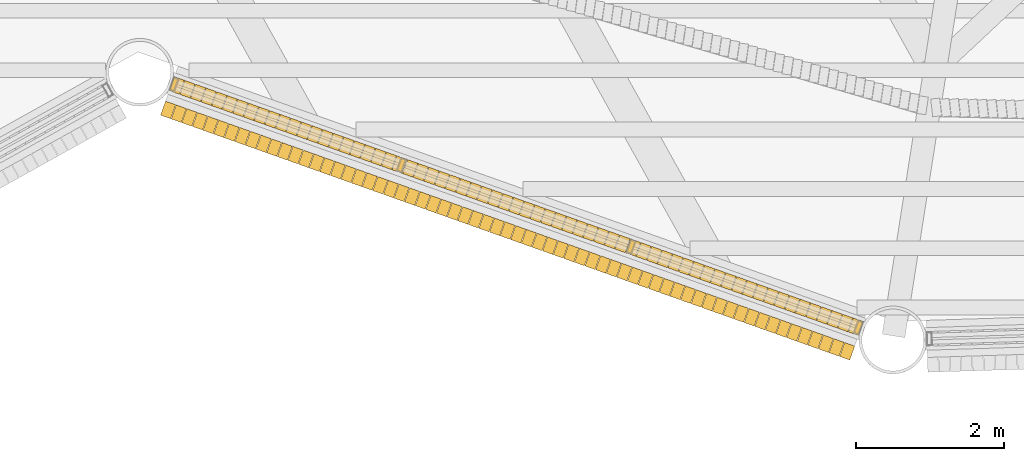
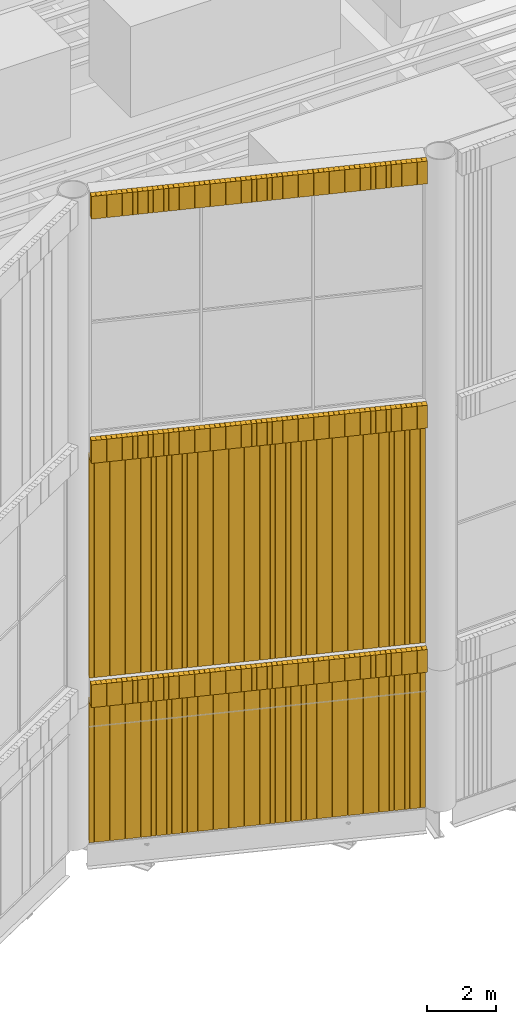
# One storey, part 94 of 117: 5 coverings.
"""IFC4 building model written with IfcOpenShell, lengths in metres."""

from ifc_helpers import new_model, si_unit, direction, frame, frame_2d, origin, place, context, subcontext, project, spatial, rectangle, composite_profile, extrude, material, type_object, element, save


model = new_model("IFC4")

# Units and contexts
model_context = context("Model", 3, precision=1e-05, world=origin(), true_north=direction((0.0, 1.0)))
body_context = subcontext(model_context, "Body", "Model", "MODEL_VIEW")
ifc_project = project(units=[si_unit("LENGTHUNIT", "METRE"), si_unit("AREAUNIT", "SQUARE_METRE"), si_unit("VOLUMEUNIT", "CUBIC_METRE"), si_unit("PLANEANGLEUNIT", "RADIAN"), si_unit("MASSUNIT", "GRAM", prefix="KILO")], contexts=[model_context])

# Site, building, storey
site_placement = place(None, origin())
site = spatial("IfcSite", under=ifc_project, at=site_placement, CompositionType="ELEMENT")
building_placement = place(site_placement, origin())
building = spatial("IfcBuilding", under=site, at=building_placement, Name="Tarsis Ring Headquarters", CompositionType="ELEMENT")
storey_placement = place(building_placement, frame((0.0, 0.0, 403.60009765625)))
storey = spatial("IfcBuildingStorey", under=building, at=storey_placement, Name="L95", CompositionType="ELEMENT", Elevation=403.60009765625)

# Coverings
ifc_material = material(Name="Terracotta louvre", Category="masonry")
covering_type = type_object("IfcCoveringType", Name="Crown louvre fin", PredefinedType="CLADDING", material=ifc_material)
covering_1_placement = place(storey_placement, frame((-14.203369140625, -25.24609375, 0.0), z_axis=(0.0, 0.0, 1.0), x_axis=(0.942245777404, -0.334885333598, 0.0)))
element("IfcCovering", 1, at=covering_1_placement, inside=storey, type_object=covering_type, Name="Crown louvre base 20", PredefinedType="CLADDING", context=body_context, shape_type="SweptSolid", body=[
    extrude(composite_profile([rectangle(XDim=0.14501953125, YDim=0.199951171875, at=frame_2d((0.072509765625, 0.0))), rectangle(XDim=0.14501953125, YDim=0.199951171875, at=frame_2d((0.224365234375, 0.0))), rectangle(XDim=0.14501953125, YDim=0.199951171875, at=frame_2d((0.3759765625, 0.0))), rectangle(XDim=0.14501953125, YDim=0.199951171875, at=frame_2d((0.52783203125, 0.0))), rectangle(XDim=0.14501953125, YDim=0.199951171875, at=frame_2d((0.679443359375, 0.0))), rectangle(XDim=0.14501953125, YDim=0.199951171875, at=frame_2d((0.831298828125, 0.0))), rectangle(XDim=0.14501953125, YDim=0.199951171875, at=frame_2d((0.983154296875, 0.0))), rectangle(XDim=0.14501953125, YDim=0.199951171875, at=frame_2d((1.134765625, 0.0))), rectangle(XDim=0.14501953125, YDim=0.199951171875, at=frame_2d((1.28662109375, 0.0))), rectangle(XDim=0.14501953125, YDim=0.199951171875, at=frame_2d((1.438232421875, 0.0))), rectangle(XDim=0.14501953125, YDim=0.199951171875, at=frame_2d((1.590087890625, 0.0))), rectangle(XDim=0.14501953125, YDim=0.199951171875, at=frame_2d((1.741943359375, 0.0))), rectangle(XDim=0.14501953125, YDim=0.199951171875, at=frame_2d((1.8935546875, 0.0))), rectangle(XDim=0.14501953125, YDim=0.199951171875, at=frame_2d((2.04541015625, 0.0))), rectangle(XDim=0.14501953125, YDim=0.199951171875, at=frame_2d((2.197265625, 0.0))), rectangle(XDim=0.14501953125, YDim=0.199951171875, at=frame_2d((2.348876953125, 0.0))), rectangle(XDim=0.14501953125, YDim=0.199951171875, at=frame_2d((2.500732421875, 0.0))), rectangle(XDim=0.14501953125, YDim=0.199951171875, at=frame_2d((2.65234375, 0.0))), rectangle(XDim=0.14501953125, YDim=0.199951171875, at=frame_2d((2.80419921875, 0.0))), rectangle(XDim=0.14501953125, YDim=0.199951171875, at=frame_2d((2.9560546875, 0.0))), rectangle(XDim=0.14501953125, YDim=0.199951171875, at=frame_2d((3.107666015625, 0.0))), rectangle(XDim=0.14501953125, YDim=0.199951171875, at=frame_2d((3.259521484375, 0.0))), rectangle(XDim=0.14501953125, YDim=0.199951171875, at=frame_2d((3.4111328125, 0.0))), rectangle(XDim=0.14501953125, YDim=0.199951171875, at=frame_2d((3.56298828125, 0.0))), rectangle(XDim=0.14501953125, YDim=0.199951171875, at=frame_2d((3.71484375, 0.0))), rectangle(XDim=0.14501953125, YDim=0.199951171875, at=frame_2d((3.866455078125, 0.0))), rectangle(XDim=0.14501953125, YDim=0.199951171875, at=frame_2d((4.018310546875, 0.0))), rectangle(XDim=0.14501953125, YDim=0.199951171875, at=frame_2d((4.169921875, 0.0))), rectangle(XDim=0.14501953125, YDim=0.199951171875, at=frame_2d((4.32177734375, 0.0))), rectangle(XDim=0.14501953125, YDim=0.199951171875, at=frame_2d((4.4736328125, 0.0))), rectangle(XDim=0.14501953125, YDim=0.199951171875, at=frame_2d((4.625244140625, 0.0))), rectangle(XDim=0.14501953125, YDim=0.199951171875, at=frame_2d((4.777099609375, 0.0))), rectangle(XDim=0.14501953125, YDim=0.199951171875, at=frame_2d((4.9287109375, 0.0))), rectangle(XDim=0.14501953125, YDim=0.199951171875, at=frame_2d((5.08056640625, 0.0))), rectangle(XDim=0.14501953125, YDim=0.199951171875, at=frame_2d((5.232421875, 0.0))), rectangle(XDim=0.14501953125, YDim=0.199951171875, at=frame_2d((5.384033203125, 0.0))), rectangle(XDim=0.14501953125, YDim=0.199951171875, at=frame_2d((5.535888671875, 0.0))), rectangle(XDim=0.14501953125, YDim=0.199951171875, at=frame_2d((5.687744140625, 0.0))), rectangle(XDim=0.14501953125, YDim=0.199951171875, at=frame_2d((5.83935546875, 0.0))), rectangle(XDim=0.14501953125, YDim=0.199951171875, at=frame_2d((5.9912109375, 0.0))), rectangle(XDim=0.14501953125, YDim=0.199951171875, at=frame_2d((6.142822265625, 0.0))), rectangle(XDim=0.14501953125, YDim=0.199951171875, at=frame_2d((6.294677734375, 0.0))), rectangle(XDim=0.14501953125, YDim=0.199951171875, at=frame_2d((6.446533203125, 0.0))), rectangle(XDim=0.14501953125, YDim=0.199951171875, at=frame_2d((6.59814453125, 0.0))), rectangle(XDim=0.14501953125, YDim=0.199951171875, at=frame_2d((6.75, 0.0))), rectangle(XDim=0.14501953125, YDim=0.199951171875, at=frame_2d((6.901611328125, 0.0))), rectangle(XDim=0.14501953125, YDim=0.199951171875, at=frame_2d((7.053466796875, 0.0))), rectangle(XDim=0.14501953125, YDim=0.199951171875, at=frame_2d((7.205322265625, 0.0))), rectangle(XDim=0.14501953125, YDim=0.199951171875, at=frame_2d((7.35693359375, 0.0))), rectangle(XDim=0.14501953125, YDim=0.199951171875, at=frame_2d((7.5087890625, 0.0))), rectangle(XDim=0.14501953125, YDim=0.199951171875, at=frame_2d((7.660400390625, 0.0))), rectangle(XDim=0.14501953125, YDim=0.199951171875, at=frame_2d((7.812255859375, 0.0))), rectangle(XDim=0.14501953125, YDim=0.199951171875, at=frame_2d((7.964111328125, 0.0))), rectangle(XDim=0.14501953125, YDim=0.199951171875, at=frame_2d((8.11572265625, 0.0))), rectangle(XDim=0.14501953125, YDim=0.199951171875, at=frame_2d((8.267578125, 0.0))), rectangle(XDim=0.14501953125, YDim=0.199951171875, at=frame_2d((8.41943359375, 0.0))), rectangle(XDim=0.14501953125, YDim=0.199951171875, at=frame_2d((8.571044921875, 0.0))), rectangle(XDim=0.14501953125, YDim=0.199951171875, at=frame_2d((8.722900390625, 0.0))), rectangle(XDim=0.14501953125, YDim=0.199951171875, at=frame_2d((8.87451171875, 0.0))), rectangle(XDim=0.14501953125, YDim=0.199951171875, at=frame_2d((9.0263671875, 0.0))), rectangle(XDim=0.14501953125, YDim=0.199951171875, at=frame_2d((9.17822265625, 0.0))), rectangle(XDim=0.14501953125, YDim=0.199951171875, at=frame_2d((9.329833984375, 0.0))), rectangle(XDim=0.14501953125, YDim=0.199951171875, at=frame_2d((9.481689453125, 0.0))), rectangle(XDim=0.14501953125, YDim=0.199951171875, at=frame_2d((9.63330078125, 0.0))), rectangle(XDim=0.14501953125, YDim=0.199951171875, at=frame_2d((9.78515625, 0.0)))]), origin(), (0.0, 0.0, 1.0), 5.0),
])
covering_2_placement = place(storey_placement, frame((-14.320556640625, -25.575927734375, 5.0), z_axis=(0.0, 0.0, 1.0), x_axis=(0.942245777404, -0.334885333598, 0.0)))
element("IfcCovering", 2, at=covering_2_placement, inside=storey, type_object=covering_type, Name="Crown louvre fascia R20", PredefinedType="CLADDING", context=body_context, shape_type="SweptSolid", body=[
    extrude(composite_profile([rectangle(XDim=0.14501953125, YDim=0.199951171875, at=frame_2d((0.072509765625, 0.0))), rectangle(XDim=0.14501953125, YDim=0.199951171875, at=frame_2d((0.224365234375, 0.0))), rectangle(XDim=0.14501953125, YDim=0.199951171875, at=frame_2d((0.3759765625, 0.0))), rectangle(XDim=0.14501953125, YDim=0.199951171875, at=frame_2d((0.52783203125, 0.0))), rectangle(XDim=0.14501953125, YDim=0.199951171875, at=frame_2d((0.679443359375, 0.0))), rectangle(XDim=0.14501953125, YDim=0.199951171875, at=frame_2d((0.831298828125, 0.0))), rectangle(XDim=0.14501953125, YDim=0.199951171875, at=frame_2d((0.983154296875, 0.0))), rectangle(XDim=0.14501953125, YDim=0.199951171875, at=frame_2d((1.134765625, 0.0))), rectangle(XDim=0.14501953125, YDim=0.199951171875, at=frame_2d((1.28662109375, 0.0))), rectangle(XDim=0.14501953125, YDim=0.199951171875, at=frame_2d((1.438232421875, 0.0))), rectangle(XDim=0.14501953125, YDim=0.199951171875, at=frame_2d((1.590087890625, 0.0))), rectangle(XDim=0.14501953125, YDim=0.199951171875, at=frame_2d((1.741943359375, 0.0))), rectangle(XDim=0.14501953125, YDim=0.199951171875, at=frame_2d((1.8935546875, 0.0))), rectangle(XDim=0.14501953125, YDim=0.199951171875, at=frame_2d((2.04541015625, 0.0))), rectangle(XDim=0.14501953125, YDim=0.199951171875, at=frame_2d((2.197265625, 0.0))), rectangle(XDim=0.14501953125, YDim=0.199951171875, at=frame_2d((2.348876953125, 0.0))), rectangle(XDim=0.14501953125, YDim=0.199951171875, at=frame_2d((2.500732421875, 0.0))), rectangle(XDim=0.14501953125, YDim=0.199951171875, at=frame_2d((2.65234375, 0.0))), rectangle(XDim=0.14501953125, YDim=0.199951171875, at=frame_2d((2.80419921875, 0.0))), rectangle(XDim=0.14501953125, YDim=0.199951171875, at=frame_2d((2.9560546875, 0.0))), rectangle(XDim=0.14501953125, YDim=0.199951171875, at=frame_2d((3.107666015625, 0.0))), rectangle(XDim=0.14501953125, YDim=0.199951171875, at=frame_2d((3.259521484375, 0.0))), rectangle(XDim=0.14501953125, YDim=0.199951171875, at=frame_2d((3.4111328125, 0.0))), rectangle(XDim=0.14501953125, YDim=0.199951171875, at=frame_2d((3.56298828125, 0.0))), rectangle(XDim=0.14501953125, YDim=0.199951171875, at=frame_2d((3.71484375, 0.0))), rectangle(XDim=0.14501953125, YDim=0.199951171875, at=frame_2d((3.866455078125, 0.0))), rectangle(XDim=0.14501953125, YDim=0.199951171875, at=frame_2d((4.018310546875, 0.0))), rectangle(XDim=0.14501953125, YDim=0.199951171875, at=frame_2d((4.169921875, 0.0))), rectangle(XDim=0.14501953125, YDim=0.199951171875, at=frame_2d((4.32177734375, 0.0))), rectangle(XDim=0.14501953125, YDim=0.199951171875, at=frame_2d((4.4736328125, 0.0))), rectangle(XDim=0.14501953125, YDim=0.199951171875, at=frame_2d((4.625244140625, 0.0))), rectangle(XDim=0.14501953125, YDim=0.199951171875, at=frame_2d((4.777099609375, 0.0))), rectangle(XDim=0.14501953125, YDim=0.199951171875, at=frame_2d((4.9287109375, 0.0))), rectangle(XDim=0.14501953125, YDim=0.199951171875, at=frame_2d((5.08056640625, 0.0))), rectangle(XDim=0.14501953125, YDim=0.199951171875, at=frame_2d((5.232421875, 0.0))), rectangle(XDim=0.14501953125, YDim=0.199951171875, at=frame_2d((5.384033203125, 0.0))), rectangle(XDim=0.14501953125, YDim=0.199951171875, at=frame_2d((5.535888671875, 0.0))), rectangle(XDim=0.14501953125, YDim=0.199951171875, at=frame_2d((5.687744140625, 0.0))), rectangle(XDim=0.14501953125, YDim=0.199951171875, at=frame_2d((5.83935546875, 0.0))), rectangle(XDim=0.14501953125, YDim=0.199951171875, at=frame_2d((5.9912109375, 0.0))), rectangle(XDim=0.14501953125, YDim=0.199951171875, at=frame_2d((6.142822265625, 0.0))), rectangle(XDim=0.14501953125, YDim=0.199951171875, at=frame_2d((6.294677734375, 0.0))), rectangle(XDim=0.14501953125, YDim=0.199951171875, at=frame_2d((6.446533203125, 0.0))), rectangle(XDim=0.14501953125, YDim=0.199951171875, at=frame_2d((6.59814453125, 0.0))), rectangle(XDim=0.14501953125, YDim=0.199951171875, at=frame_2d((6.75, 0.0))), rectangle(XDim=0.14501953125, YDim=0.199951171875, at=frame_2d((6.901611328125, 0.0))), rectangle(XDim=0.14501953125, YDim=0.199951171875, at=frame_2d((7.053466796875, 0.0))), rectangle(XDim=0.14501953125, YDim=0.199951171875, at=frame_2d((7.205322265625, 0.0))), rectangle(XDim=0.14501953125, YDim=0.199951171875, at=frame_2d((7.35693359375, 0.0))), rectangle(XDim=0.14501953125, YDim=0.199951171875, at=frame_2d((7.5087890625, 0.0))), rectangle(XDim=0.14501953125, YDim=0.199951171875, at=frame_2d((7.660400390625, 0.0))), rectangle(XDim=0.14501953125, YDim=0.199951171875, at=frame_2d((7.812255859375, 0.0))), rectangle(XDim=0.14501953125, YDim=0.199951171875, at=frame_2d((7.964111328125, 0.0))), rectangle(XDim=0.14501953125, YDim=0.199951171875, at=frame_2d((8.11572265625, 0.0))), rectangle(XDim=0.14501953125, YDim=0.199951171875, at=frame_2d((8.267578125, 0.0))), rectangle(XDim=0.14501953125, YDim=0.199951171875, at=frame_2d((8.41943359375, 0.0))), rectangle(XDim=0.14501953125, YDim=0.199951171875, at=frame_2d((8.571044921875, 0.0))), rectangle(XDim=0.14501953125, YDim=0.199951171875, at=frame_2d((8.722900390625, 0.0))), rectangle(XDim=0.14501953125, YDim=0.199951171875, at=frame_2d((8.87451171875, 0.0))), rectangle(XDim=0.14501953125, YDim=0.199951171875, at=frame_2d((9.0263671875, 0.0))), rectangle(XDim=0.14501953125, YDim=0.199951171875, at=frame_2d((9.17822265625, 0.0))), rectangle(XDim=0.14501953125, YDim=0.199951171875, at=frame_2d((9.329833984375, 0.0))), rectangle(XDim=0.14501953125, YDim=0.199951171875, at=frame_2d((9.481689453125, 0.0))), rectangle(XDim=0.14501953125, YDim=0.199951171875, at=frame_2d((9.63330078125, 0.0))), rectangle(XDim=0.14501953125, YDim=0.199951171875, at=frame_2d((9.78515625, 0.0)))]), origin(), (0.0, 0.0, 1.0), 0.7998046875),
])
covering_3_placement = place(storey_placement, frame((-14.320556640625, -25.575927734375, 13.599853515625), z_axis=(0.0, 0.0, 1.0), x_axis=(0.942245777404, -0.334885333598, 0.0)))
element("IfcCovering", 3, at=covering_3_placement, inside=storey, type_object=covering_type, Name="Crown louvre fascia M20", PredefinedType="CLADDING", context=body_context, shape_type="SweptSolid", body=[
    extrude(composite_profile([rectangle(XDim=0.14501953125, YDim=0.199951171875, at=frame_2d((0.072509765625, 0.0))), rectangle(XDim=0.14501953125, YDim=0.199951171875, at=frame_2d((0.224365234375, 0.0))), rectangle(XDim=0.14501953125, YDim=0.199951171875, at=frame_2d((0.3759765625, 0.0))), rectangle(XDim=0.14501953125, YDim=0.199951171875, at=frame_2d((0.52783203125, 0.0))), rectangle(XDim=0.14501953125, YDim=0.199951171875, at=frame_2d((0.679443359375, 0.0))), rectangle(XDim=0.14501953125, YDim=0.199951171875, at=frame_2d((0.831298828125, 0.0))), rectangle(XDim=0.14501953125, YDim=0.199951171875, at=frame_2d((0.983154296875, 0.0))), rectangle(XDim=0.14501953125, YDim=0.199951171875, at=frame_2d((1.134765625, 0.0))), rectangle(XDim=0.14501953125, YDim=0.199951171875, at=frame_2d((1.28662109375, 0.0))), rectangle(XDim=0.14501953125, YDim=0.199951171875, at=frame_2d((1.438232421875, 0.0))), rectangle(XDim=0.14501953125, YDim=0.199951171875, at=frame_2d((1.590087890625, 0.0))), rectangle(XDim=0.14501953125, YDim=0.199951171875, at=frame_2d((1.741943359375, 0.0))), rectangle(XDim=0.14501953125, YDim=0.199951171875, at=frame_2d((1.8935546875, 0.0))), rectangle(XDim=0.14501953125, YDim=0.199951171875, at=frame_2d((2.04541015625, 0.0))), rectangle(XDim=0.14501953125, YDim=0.199951171875, at=frame_2d((2.197265625, 0.0))), rectangle(XDim=0.14501953125, YDim=0.199951171875, at=frame_2d((2.348876953125, 0.0))), rectangle(XDim=0.14501953125, YDim=0.199951171875, at=frame_2d((2.500732421875, 0.0))), rectangle(XDim=0.14501953125, YDim=0.199951171875, at=frame_2d((2.65234375, 0.0))), rectangle(XDim=0.14501953125, YDim=0.199951171875, at=frame_2d((2.80419921875, 0.0))), rectangle(XDim=0.14501953125, YDim=0.199951171875, at=frame_2d((2.9560546875, 0.0))), rectangle(XDim=0.14501953125, YDim=0.199951171875, at=frame_2d((3.107666015625, 0.0))), rectangle(XDim=0.14501953125, YDim=0.199951171875, at=frame_2d((3.259521484375, 0.0))), rectangle(XDim=0.14501953125, YDim=0.199951171875, at=frame_2d((3.4111328125, 0.0))), rectangle(XDim=0.14501953125, YDim=0.199951171875, at=frame_2d((3.56298828125, 0.0))), rectangle(XDim=0.14501953125, YDim=0.199951171875, at=frame_2d((3.71484375, 0.0))), rectangle(XDim=0.14501953125, YDim=0.199951171875, at=frame_2d((3.866455078125, 0.0))), rectangle(XDim=0.14501953125, YDim=0.199951171875, at=frame_2d((4.018310546875, 0.0))), rectangle(XDim=0.14501953125, YDim=0.199951171875, at=frame_2d((4.169921875, 0.0))), rectangle(XDim=0.14501953125, YDim=0.199951171875, at=frame_2d((4.32177734375, 0.0))), rectangle(XDim=0.14501953125, YDim=0.199951171875, at=frame_2d((4.4736328125, 0.0))), rectangle(XDim=0.14501953125, YDim=0.199951171875, at=frame_2d((4.625244140625, 0.0))), rectangle(XDim=0.14501953125, YDim=0.199951171875, at=frame_2d((4.777099609375, 0.0))), rectangle(XDim=0.14501953125, YDim=0.199951171875, at=frame_2d((4.9287109375, 0.0))), rectangle(XDim=0.14501953125, YDim=0.199951171875, at=frame_2d((5.08056640625, 0.0))), rectangle(XDim=0.14501953125, YDim=0.199951171875, at=frame_2d((5.232421875, 0.0))), rectangle(XDim=0.14501953125, YDim=0.199951171875, at=frame_2d((5.384033203125, 0.0))), rectangle(XDim=0.14501953125, YDim=0.199951171875, at=frame_2d((5.535888671875, 0.0))), rectangle(XDim=0.14501953125, YDim=0.199951171875, at=frame_2d((5.687744140625, 0.0))), rectangle(XDim=0.14501953125, YDim=0.199951171875, at=frame_2d((5.83935546875, 0.0))), rectangle(XDim=0.14501953125, YDim=0.199951171875, at=frame_2d((5.9912109375, 0.0))), rectangle(XDim=0.14501953125, YDim=0.199951171875, at=frame_2d((6.142822265625, 0.0))), rectangle(XDim=0.14501953125, YDim=0.199951171875, at=frame_2d((6.294677734375, 0.0))), rectangle(XDim=0.14501953125, YDim=0.199951171875, at=frame_2d((6.446533203125, 0.0))), rectangle(XDim=0.14501953125, YDim=0.199951171875, at=frame_2d((6.59814453125, 0.0))), rectangle(XDim=0.14501953125, YDim=0.199951171875, at=frame_2d((6.75, 0.0))), rectangle(XDim=0.14501953125, YDim=0.199951171875, at=frame_2d((6.901611328125, 0.0))), rectangle(XDim=0.14501953125, YDim=0.199951171875, at=frame_2d((7.053466796875, 0.0))), rectangle(XDim=0.14501953125, YDim=0.199951171875, at=frame_2d((7.205322265625, 0.0))), rectangle(XDim=0.14501953125, YDim=0.199951171875, at=frame_2d((7.35693359375, 0.0))), rectangle(XDim=0.14501953125, YDim=0.199951171875, at=frame_2d((7.5087890625, 0.0))), rectangle(XDim=0.14501953125, YDim=0.199951171875, at=frame_2d((7.660400390625, 0.0))), rectangle(XDim=0.14501953125, YDim=0.199951171875, at=frame_2d((7.812255859375, 0.0))), rectangle(XDim=0.14501953125, YDim=0.199951171875, at=frame_2d((7.964111328125, 0.0))), rectangle(XDim=0.14501953125, YDim=0.199951171875, at=frame_2d((8.11572265625, 0.0))), rectangle(XDim=0.14501953125, YDim=0.199951171875, at=frame_2d((8.267578125, 0.0))), rectangle(XDim=0.14501953125, YDim=0.199951171875, at=frame_2d((8.41943359375, 0.0))), rectangle(XDim=0.14501953125, YDim=0.199951171875, at=frame_2d((8.571044921875, 0.0))), rectangle(XDim=0.14501953125, YDim=0.199951171875, at=frame_2d((8.722900390625, 0.0))), rectangle(XDim=0.14501953125, YDim=0.199951171875, at=frame_2d((8.87451171875, 0.0))), rectangle(XDim=0.14501953125, YDim=0.199951171875, at=frame_2d((9.0263671875, 0.0))), rectangle(XDim=0.14501953125, YDim=0.199951171875, at=frame_2d((9.17822265625, 0.0))), rectangle(XDim=0.14501953125, YDim=0.199951171875, at=frame_2d((9.329833984375, 0.0))), rectangle(XDim=0.14501953125, YDim=0.199951171875, at=frame_2d((9.481689453125, 0.0))), rectangle(XDim=0.14501953125, YDim=0.199951171875, at=frame_2d((9.63330078125, 0.0))), rectangle(XDim=0.14501953125, YDim=0.199951171875, at=frame_2d((9.78515625, 0.0)))]), origin(), (0.0, 0.0, 1.0), 0.800048828125),
])
covering_4_placement = place(storey_placement, frame((-14.320556640625, -25.575927734375, 22.199951171875), z_axis=(0.0, 0.0, 1.0), x_axis=(0.942245777404, -0.334885333598, 0.0)))
element("IfcCovering", 4, at=covering_4_placement, inside=storey, type_object=covering_type, Name="Crown louvre fascia T20", PredefinedType="CLADDING", context=body_context, shape_type="SweptSolid", body=[
    extrude(composite_profile([rectangle(XDim=0.14501953125, YDim=0.199951171875, at=frame_2d((0.072509765625, 0.0))), rectangle(XDim=0.14501953125, YDim=0.199951171875, at=frame_2d((0.224365234375, 0.0))), rectangle(XDim=0.14501953125, YDim=0.199951171875, at=frame_2d((0.3759765625, 0.0))), rectangle(XDim=0.14501953125, YDim=0.199951171875, at=frame_2d((0.52783203125, 0.0))), rectangle(XDim=0.14501953125, YDim=0.199951171875, at=frame_2d((0.679443359375, 0.0))), rectangle(XDim=0.14501953125, YDim=0.199951171875, at=frame_2d((0.831298828125, 0.0))), rectangle(XDim=0.14501953125, YDim=0.199951171875, at=frame_2d((0.983154296875, 0.0))), rectangle(XDim=0.14501953125, YDim=0.199951171875, at=frame_2d((1.134765625, 0.0))), rectangle(XDim=0.14501953125, YDim=0.199951171875, at=frame_2d((1.28662109375, 0.0))), rectangle(XDim=0.14501953125, YDim=0.199951171875, at=frame_2d((1.438232421875, 0.0))), rectangle(XDim=0.14501953125, YDim=0.199951171875, at=frame_2d((1.590087890625, 0.0))), rectangle(XDim=0.14501953125, YDim=0.199951171875, at=frame_2d((1.741943359375, 0.0))), rectangle(XDim=0.14501953125, YDim=0.199951171875, at=frame_2d((1.8935546875, 0.0))), rectangle(XDim=0.14501953125, YDim=0.199951171875, at=frame_2d((2.04541015625, 0.0))), rectangle(XDim=0.14501953125, YDim=0.199951171875, at=frame_2d((2.197265625, 0.0))), rectangle(XDim=0.14501953125, YDim=0.199951171875, at=frame_2d((2.348876953125, 0.0))), rectangle(XDim=0.14501953125, YDim=0.199951171875, at=frame_2d((2.500732421875, 0.0))), rectangle(XDim=0.14501953125, YDim=0.199951171875, at=frame_2d((2.65234375, 0.0))), rectangle(XDim=0.14501953125, YDim=0.199951171875, at=frame_2d((2.80419921875, 0.0))), rectangle(XDim=0.14501953125, YDim=0.199951171875, at=frame_2d((2.9560546875, 0.0))), rectangle(XDim=0.14501953125, YDim=0.199951171875, at=frame_2d((3.107666015625, 0.0))), rectangle(XDim=0.14501953125, YDim=0.199951171875, at=frame_2d((3.259521484375, 0.0))), rectangle(XDim=0.14501953125, YDim=0.199951171875, at=frame_2d((3.4111328125, 0.0))), rectangle(XDim=0.14501953125, YDim=0.199951171875, at=frame_2d((3.56298828125, 0.0))), rectangle(XDim=0.14501953125, YDim=0.199951171875, at=frame_2d((3.71484375, 0.0))), rectangle(XDim=0.14501953125, YDim=0.199951171875, at=frame_2d((3.866455078125, 0.0))), rectangle(XDim=0.14501953125, YDim=0.199951171875, at=frame_2d((4.018310546875, 0.0))), rectangle(XDim=0.14501953125, YDim=0.199951171875, at=frame_2d((4.169921875, 0.0))), rectangle(XDim=0.14501953125, YDim=0.199951171875, at=frame_2d((4.32177734375, 0.0))), rectangle(XDim=0.14501953125, YDim=0.199951171875, at=frame_2d((4.4736328125, 0.0))), rectangle(XDim=0.14501953125, YDim=0.199951171875, at=frame_2d((4.625244140625, 0.0))), rectangle(XDim=0.14501953125, YDim=0.199951171875, at=frame_2d((4.777099609375, 0.0))), rectangle(XDim=0.14501953125, YDim=0.199951171875, at=frame_2d((4.9287109375, 0.0))), rectangle(XDim=0.14501953125, YDim=0.199951171875, at=frame_2d((5.08056640625, 0.0))), rectangle(XDim=0.14501953125, YDim=0.199951171875, at=frame_2d((5.232421875, 0.0))), rectangle(XDim=0.14501953125, YDim=0.199951171875, at=frame_2d((5.384033203125, 0.0))), rectangle(XDim=0.14501953125, YDim=0.199951171875, at=frame_2d((5.535888671875, 0.0))), rectangle(XDim=0.14501953125, YDim=0.199951171875, at=frame_2d((5.687744140625, 0.0))), rectangle(XDim=0.14501953125, YDim=0.199951171875, at=frame_2d((5.83935546875, 0.0))), rectangle(XDim=0.14501953125, YDim=0.199951171875, at=frame_2d((5.9912109375, 0.0))), rectangle(XDim=0.14501953125, YDim=0.199951171875, at=frame_2d((6.142822265625, 0.0))), rectangle(XDim=0.14501953125, YDim=0.199951171875, at=frame_2d((6.294677734375, 0.0))), rectangle(XDim=0.14501953125, YDim=0.199951171875, at=frame_2d((6.446533203125, 0.0))), rectangle(XDim=0.14501953125, YDim=0.199951171875, at=frame_2d((6.59814453125, 0.0))), rectangle(XDim=0.14501953125, YDim=0.199951171875, at=frame_2d((6.75, 0.0))), rectangle(XDim=0.14501953125, YDim=0.199951171875, at=frame_2d((6.901611328125, 0.0))), rectangle(XDim=0.14501953125, YDim=0.199951171875, at=frame_2d((7.053466796875, 0.0))), rectangle(XDim=0.14501953125, YDim=0.199951171875, at=frame_2d((7.205322265625, 0.0))), rectangle(XDim=0.14501953125, YDim=0.199951171875, at=frame_2d((7.35693359375, 0.0))), rectangle(XDim=0.14501953125, YDim=0.199951171875, at=frame_2d((7.5087890625, 0.0))), rectangle(XDim=0.14501953125, YDim=0.199951171875, at=frame_2d((7.660400390625, 0.0))), rectangle(XDim=0.14501953125, YDim=0.199951171875, at=frame_2d((7.812255859375, 0.0))), rectangle(XDim=0.14501953125, YDim=0.199951171875, at=frame_2d((7.964111328125, 0.0))), rectangle(XDim=0.14501953125, YDim=0.199951171875, at=frame_2d((8.11572265625, 0.0))), rectangle(XDim=0.14501953125, YDim=0.199951171875, at=frame_2d((8.267578125, 0.0))), rectangle(XDim=0.14501953125, YDim=0.199951171875, at=frame_2d((8.41943359375, 0.0))), rectangle(XDim=0.14501953125, YDim=0.199951171875, at=frame_2d((8.571044921875, 0.0))), rectangle(XDim=0.14501953125, YDim=0.199951171875, at=frame_2d((8.722900390625, 0.0))), rectangle(XDim=0.14501953125, YDim=0.199951171875, at=frame_2d((8.87451171875, 0.0))), rectangle(XDim=0.14501953125, YDim=0.199951171875, at=frame_2d((9.0263671875, 0.0))), rectangle(XDim=0.14501953125, YDim=0.199951171875, at=frame_2d((9.17822265625, 0.0))), rectangle(XDim=0.14501953125, YDim=0.199951171875, at=frame_2d((9.329833984375, 0.0))), rectangle(XDim=0.14501953125, YDim=0.199951171875, at=frame_2d((9.481689453125, 0.0))), rectangle(XDim=0.14501953125, YDim=0.199951171875, at=frame_2d((9.63330078125, 0.0))), rectangle(XDim=0.14501953125, YDim=0.199951171875, at=frame_2d((9.78515625, 0.0)))]), origin(), (0.0, 0.0, 1.0), 0.800048828125),
])
covering_5_placement = place(storey_placement, frame((-14.203369140625, -25.24609375, 5.7998046875), z_axis=(0.0, 0.0, 1.0), x_axis=(0.942245777404, -0.334885333598, 0.0)))
element("IfcCovering", 5, at=covering_5_placement, inside=storey, type_object=covering_type, Name="Crown louvre L20", PredefinedType="CLADDING", context=body_context, shape_type="SweptSolid", body=[
    extrude(composite_profile([rectangle(XDim=0.14501953125, YDim=0.199951171875, at=frame_2d((0.072509765625, 0.0))), rectangle(XDim=0.14501953125, YDim=0.199951171875, at=frame_2d((0.224365234375, 0.0))), rectangle(XDim=0.14501953125, YDim=0.199951171875, at=frame_2d((0.3759765625, 0.0))), rectangle(XDim=0.14501953125, YDim=0.199951171875, at=frame_2d((0.52783203125, 0.0))), rectangle(XDim=0.14501953125, YDim=0.199951171875, at=frame_2d((0.679443359375, 0.0))), rectangle(XDim=0.14501953125, YDim=0.199951171875, at=frame_2d((0.831298828125, 0.0))), rectangle(XDim=0.14501953125, YDim=0.199951171875, at=frame_2d((0.983154296875, 0.0))), rectangle(XDim=0.14501953125, YDim=0.199951171875, at=frame_2d((1.134765625, 0.0))), rectangle(XDim=0.14501953125, YDim=0.199951171875, at=frame_2d((1.28662109375, 0.0))), rectangle(XDim=0.14501953125, YDim=0.199951171875, at=frame_2d((1.438232421875, 0.0))), rectangle(XDim=0.14501953125, YDim=0.199951171875, at=frame_2d((1.590087890625, 0.0))), rectangle(XDim=0.14501953125, YDim=0.199951171875, at=frame_2d((1.741943359375, 0.0))), rectangle(XDim=0.14501953125, YDim=0.199951171875, at=frame_2d((1.8935546875, 0.0))), rectangle(XDim=0.14501953125, YDim=0.199951171875, at=frame_2d((2.04541015625, 0.0))), rectangle(XDim=0.14501953125, YDim=0.199951171875, at=frame_2d((2.197265625, 0.0))), rectangle(XDim=0.14501953125, YDim=0.199951171875, at=frame_2d((2.348876953125, 0.0))), rectangle(XDim=0.14501953125, YDim=0.199951171875, at=frame_2d((2.500732421875, 0.0))), rectangle(XDim=0.14501953125, YDim=0.199951171875, at=frame_2d((2.65234375, 0.0))), rectangle(XDim=0.14501953125, YDim=0.199951171875, at=frame_2d((2.80419921875, 0.0))), rectangle(XDim=0.14501953125, YDim=0.199951171875, at=frame_2d((2.9560546875, 0.0))), rectangle(XDim=0.14501953125, YDim=0.199951171875, at=frame_2d((3.107666015625, 0.0))), rectangle(XDim=0.14501953125, YDim=0.199951171875, at=frame_2d((3.259521484375, 0.0))), rectangle(XDim=0.14501953125, YDim=0.199951171875, at=frame_2d((3.4111328125, 0.0))), rectangle(XDim=0.14501953125, YDim=0.199951171875, at=frame_2d((3.56298828125, 0.0))), rectangle(XDim=0.14501953125, YDim=0.199951171875, at=frame_2d((3.71484375, 0.0))), rectangle(XDim=0.14501953125, YDim=0.199951171875, at=frame_2d((3.866455078125, 0.0))), rectangle(XDim=0.14501953125, YDim=0.199951171875, at=frame_2d((4.018310546875, 0.0))), rectangle(XDim=0.14501953125, YDim=0.199951171875, at=frame_2d((4.169921875, 0.0))), rectangle(XDim=0.14501953125, YDim=0.199951171875, at=frame_2d((4.32177734375, 0.0))), rectangle(XDim=0.14501953125, YDim=0.199951171875, at=frame_2d((4.4736328125, 0.0))), rectangle(XDim=0.14501953125, YDim=0.199951171875, at=frame_2d((4.625244140625, 0.0))), rectangle(XDim=0.14501953125, YDim=0.199951171875, at=frame_2d((4.777099609375, 0.0))), rectangle(XDim=0.14501953125, YDim=0.199951171875, at=frame_2d((4.9287109375, 0.0))), rectangle(XDim=0.14501953125, YDim=0.199951171875, at=frame_2d((5.08056640625, 0.0))), rectangle(XDim=0.14501953125, YDim=0.199951171875, at=frame_2d((5.232421875, 0.0))), rectangle(XDim=0.14501953125, YDim=0.199951171875, at=frame_2d((5.384033203125, 0.0))), rectangle(XDim=0.14501953125, YDim=0.199951171875, at=frame_2d((5.535888671875, 0.0))), rectangle(XDim=0.14501953125, YDim=0.199951171875, at=frame_2d((5.687744140625, 0.0))), rectangle(XDim=0.14501953125, YDim=0.199951171875, at=frame_2d((5.83935546875, 0.0))), rectangle(XDim=0.14501953125, YDim=0.199951171875, at=frame_2d((5.9912109375, 0.0))), rectangle(XDim=0.14501953125, YDim=0.199951171875, at=frame_2d((6.142822265625, 0.0))), rectangle(XDim=0.14501953125, YDim=0.199951171875, at=frame_2d((6.294677734375, 0.0))), rectangle(XDim=0.14501953125, YDim=0.199951171875, at=frame_2d((6.446533203125, 0.0))), rectangle(XDim=0.14501953125, YDim=0.199951171875, at=frame_2d((6.59814453125, 0.0))), rectangle(XDim=0.14501953125, YDim=0.199951171875, at=frame_2d((6.75, 0.0))), rectangle(XDim=0.14501953125, YDim=0.199951171875, at=frame_2d((6.901611328125, 0.0))), rectangle(XDim=0.14501953125, YDim=0.199951171875, at=frame_2d((7.053466796875, 0.0))), rectangle(XDim=0.14501953125, YDim=0.199951171875, at=frame_2d((7.205322265625, 0.0))), rectangle(XDim=0.14501953125, YDim=0.199951171875, at=frame_2d((7.35693359375, 0.0))), rectangle(XDim=0.14501953125, YDim=0.199951171875, at=frame_2d((7.5087890625, 0.0))), rectangle(XDim=0.14501953125, YDim=0.199951171875, at=frame_2d((7.660400390625, 0.0))), rectangle(XDim=0.14501953125, YDim=0.199951171875, at=frame_2d((7.812255859375, 0.0))), rectangle(XDim=0.14501953125, YDim=0.199951171875, at=frame_2d((7.964111328125, 0.0))), rectangle(XDim=0.14501953125, YDim=0.199951171875, at=frame_2d((8.11572265625, 0.0))), rectangle(XDim=0.14501953125, YDim=0.199951171875, at=frame_2d((8.267578125, 0.0))), rectangle(XDim=0.14501953125, YDim=0.199951171875, at=frame_2d((8.41943359375, 0.0))), rectangle(XDim=0.14501953125, YDim=0.199951171875, at=frame_2d((8.571044921875, 0.0))), rectangle(XDim=0.14501953125, YDim=0.199951171875, at=frame_2d((8.722900390625, 0.0))), rectangle(XDim=0.14501953125, YDim=0.199951171875, at=frame_2d((8.87451171875, 0.0))), rectangle(XDim=0.14501953125, YDim=0.199951171875, at=frame_2d((9.0263671875, 0.0))), rectangle(XDim=0.14501953125, YDim=0.199951171875, at=frame_2d((9.17822265625, 0.0))), rectangle(XDim=0.14501953125, YDim=0.199951171875, at=frame_2d((9.329833984375, 0.0))), rectangle(XDim=0.14501953125, YDim=0.199951171875, at=frame_2d((9.481689453125, 0.0))), rectangle(XDim=0.14501953125, YDim=0.199951171875, at=frame_2d((9.63330078125, 0.0))), rectangle(XDim=0.14501953125, YDim=0.199951171875, at=frame_2d((9.78515625, 0.0)))]), origin(), (0.0, 0.0, 1.0), 7.800048828125),
])

save(model, "model.ifc")
